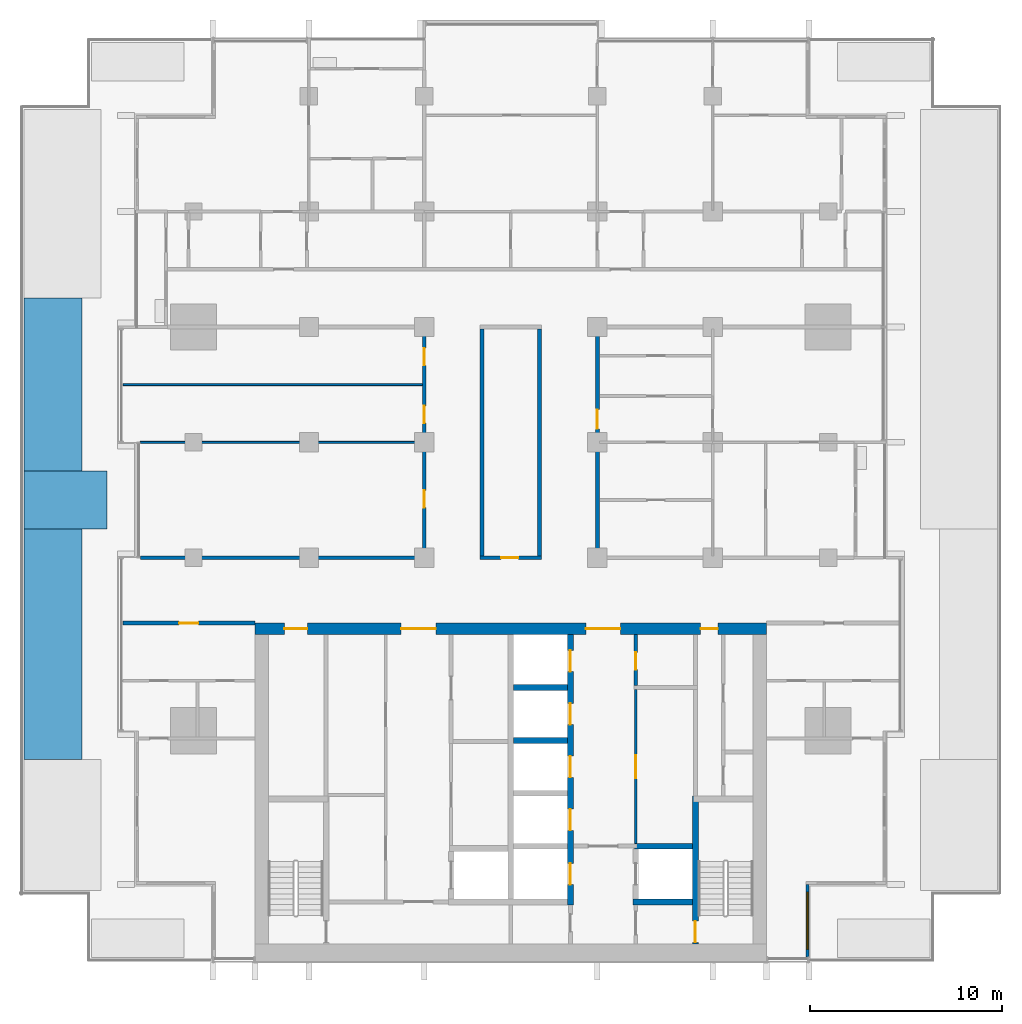
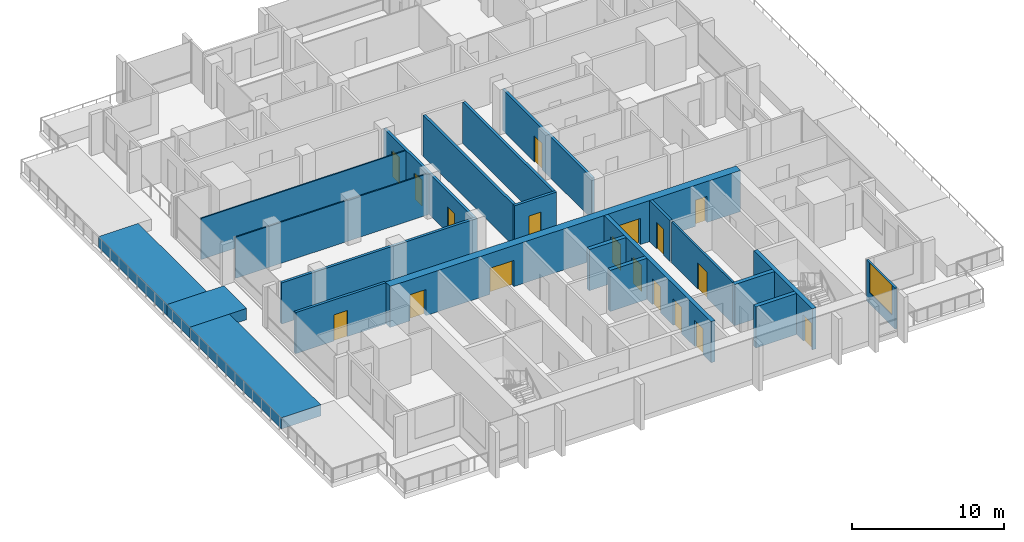
# One storey, part 8 of 18: 22 walls, 18 doors, 1 window, 19 openings.
"""IFC4 building model written with IfcOpenShell, lengths in metres."""

from ifc_helpers import new_model, si_unit, direction, frame, frame_2d, origin, place, context, subcontext, project, spatial, rectangle, extrude, material, layer, layer_set, type_object, element, fill, save


model = new_model("IFC4")

# Units and contexts
model_context = context("Model", 3, precision=1e-05, world=origin(), true_north=direction((0.0, 1.0)))
body_context = subcontext(model_context, "Body", "Model", "MODEL_VIEW")
ifc_project = project(units=[si_unit("LENGTHUNIT", "METRE"), si_unit("AREAUNIT", "SQUARE_METRE"), si_unit("VOLUMEUNIT", "CUBIC_METRE"), si_unit("PLANEANGLEUNIT", "RADIAN"), si_unit("MASSUNIT", "GRAM", prefix="KILO")], contexts=[model_context])

# Site, building, storey
site_placement = place(None, origin())
site = spatial("IfcSite", under=ifc_project, at=site_placement, CompositionType="ELEMENT")
building_placement = place(site_placement, origin())
building = spatial("IfcBuilding", under=site, at=building_placement, Name="Finial Court Residences", CompositionType="ELEMENT")
storey_placement = place(building_placement, frame((0.0, 0.0, 149.300048828125)))
storey = spatial("IfcBuildingStorey", under=building, at=storey_placement, Name="L36", CompositionType="ELEMENT", Elevation=149.300048828125)

# Wall, openings, doors
ifc_material_1 = material(Name="Concrete C70/85", Category="concrete")
ifc_layer_1 = layer(ifc_material_1, 0.60009765625)
ifc_layer_set_1 = layer_set([ifc_layer_1], Name="Core outer wall 600 Concrete C70/85")
wall_type_1 = type_object("IfcWallType", Name="Core outer wall 600 Concrete C70/85", PredefinedType="SHEAR", material=ifc_layer_set_1)
wall_1_placement = place(storey_placement, frame((-13.300048828125, -8.199951171875, 0.0), z_axis=(0.0, 0.0, 1.0), x_axis=(1.0, 0.0, 0.0)))
wall_1 = element("IfcWall", 1, at=wall_1_placement, inside=storey, type_object=wall_type_1, Name="Core outer wall L36-02", PredefinedType="SHEAR", context=body_context, shape_type="SweptSolid", body=[
    extrude(rectangle(XDim=26.60009765625, YDim=0.60009765625, at=frame_2d((13.300048828125, 0.0))), origin(), (0.0, 0.0, 1.0), 3.300048828125),
])
opening_1_placement = place(wall_1_placement, frame((7.60009765625, 0.0, 0.0)))
opening_1 = element("IfcOpeningElement", 2, at=opening_1_placement, cuts=wall_1, Name="Opening L36-C04", PredefinedType="OPENING", context=body_context, shape_type="SweptSolid", body=[
    extrude(rectangle(XDim=1.800048828125, YDim=2.10009765625, at=frame_2d((0.89990234375, 1.050048828125))), frame((0.0, 0.31005859375, 0.0), z_axis=(0.0, -1.0, 0.0), x_axis=(1.0, 0.0, 0.0)), (0.0, 0.0, 1.0), 0.6201171875),
])
opening_2_placement = place(wall_1_placement, frame((17.199951171875, 0.0, 0.0)))
opening_2 = element("IfcOpeningElement", 3, at=opening_2_placement, cuts=wall_1, Name="Opening L36-C05", PredefinedType="OPENING", context=body_context, shape_type="SweptSolid", body=[
    extrude(rectangle(XDim=1.800048828125, YDim=2.10009765625, at=frame_2d((0.89990234375, 1.050048828125))), frame((0.0, 0.31005859375, 0.0), z_axis=(0.0, -1.0, 0.0), x_axis=(1.0, 0.0, 0.0)), (0.0, 0.0, 1.0), 0.6201171875),
])
opening_3_placement = place(wall_1_placement, frame((1.52490234375, 0.0, 0.0)))
opening_3 = element("IfcOpeningElement", 4, at=opening_3_placement, cuts=wall_1, Name="Opening L36-C10", PredefinedType="OPENING", context=body_context, shape_type="SweptSolid", body=[
    extrude(rectangle(XDim=1.199951171875, YDim=2.10009765625, at=frame_2d((0.60009765625, 1.050048828125))), frame((0.0, 0.31005859375, 0.0), z_axis=(0.0, -1.0, 0.0), x_axis=(1.0, 0.0, 0.0)), (0.0, 0.0, 1.0), 0.6201171875),
])
opening_4_placement = place(wall_1_placement, frame((23.175048828125, 0.0, 0.0)))
opening_4 = element("IfcOpeningElement", 5, at=opening_4_placement, cuts=wall_1, Name="Opening L36-C11", PredefinedType="OPENING", context=body_context, shape_type="SweptSolid", body=[
    extrude(rectangle(XDim=0.89990234375, YDim=2.10009765625, at=frame_2d((0.449951171875, 1.050048828125))), frame((0.0, 0.31005859375, 0.0), z_axis=(0.0, -1.0, 0.0), x_axis=(1.0, 0.0, 0.0)), (0.0, 0.0, 1.0), 0.6201171875),
])
ifc_material_2 = material(Name="Steel fire door", Category="steel")
door_type_1 = type_object("IfcDoorType", Name="Lift lobby door 1800 x 2100 EI 60", OperationType="DOUBLE_DOOR_SINGLE_SWING", PredefinedType="DOOR", material=ifc_material_2)
door_1_placement = place(opening_1_placement, origin())
door_1 = element("IfcDoor", 6, at=door_1_placement, inside=storey, type_object=door_type_1, Name="Lift lobby door L36-C04", OperationType="DOUBLE_DOOR_SINGLE_SWING", OverallHeight=2.10009765625, OverallWidth=1.800048828125, PredefinedType="DOOR", context=body_context, shape_type="SweptSolid", body=[
    extrude(rectangle(XDim=1.800048828125, YDim=2.10009765625, at=frame_2d((0.89990234375, 1.050048828125))), frame((0.0, 0.02490234375, 0.0), z_axis=(0.0, -1.0, 0.0), x_axis=(1.0, 0.0, 0.0)), (0.0, 0.0, 1.0), 0.050048828125),
])
fill(opening_1, door_1)
door_2_placement = place(opening_2_placement, origin())
door_2 = element("IfcDoor", 7, at=door_2_placement, inside=storey, type_object=door_type_1, Name="Lift lobby door L36-C05", OperationType="DOUBLE_DOOR_SINGLE_SWING", OverallHeight=2.10009765625, OverallWidth=1.800048828125, PredefinedType="DOOR", context=body_context, shape_type="SweptSolid", body=[
    extrude(rectangle(XDim=1.800048828125, YDim=2.10009765625, at=frame_2d((0.89990234375, 1.050048828125))), frame((0.0, 0.02490234375, 0.0), z_axis=(0.0, -1.0, 0.0), x_axis=(1.0, 0.0, 0.0)), (0.0, 0.0, 1.0), 0.050048828125),
])
fill(opening_2, door_2)
door_type_2 = type_object("IfcDoorType", Name="Riser room door 1200 x 2100 EI 90", OperationType="NOTDEFINED", PredefinedType="DOOR", material=ifc_material_2)
door_3_placement = place(opening_3_placement, origin())
door_3 = element("IfcDoor", 8, at=door_3_placement, inside=storey, type_object=door_type_2, Name="Riser room door L36-C10", OperationType="SINGLE_SWING_LEFT", OverallHeight=2.10009765625, OverallWidth=1.199951171875, PredefinedType="DOOR", context=body_context, shape_type="SweptSolid", body=[
    extrude(rectangle(XDim=1.199951171875, YDim=2.10009765625, at=frame_2d((0.60009765625, 1.050048828125))), frame((0.0, 0.02490234375, 0.0), z_axis=(0.0, -1.0, 0.0), x_axis=(1.0, 0.0, 0.0)), (0.0, 0.0, 1.0), 0.050048828125),
])
fill(opening_3, door_3)
door_type_3 = type_object("IfcDoorType", Name="Riser room door 900 x 2100 EI 90", OperationType="NOTDEFINED", PredefinedType="DOOR", material=ifc_material_2)
door_4_placement = place(opening_4_placement, origin())
door_4 = element("IfcDoor", 9, at=door_4_placement, inside=storey, type_object=door_type_3, Name="Riser room door L36-C11", OperationType="SINGLE_SWING_LEFT", OverallHeight=2.10009765625, OverallWidth=0.89990234375, PredefinedType="DOOR", context=body_context, shape_type="SweptSolid", body=[
    extrude(rectangle(XDim=0.89990234375, YDim=2.10009765625, at=frame_2d((0.449951171875, 1.050048828125))), frame((0.0, 0.02490234375, 0.0), z_axis=(0.0, -1.0, 0.0), x_axis=(1.0, 0.0, 0.0)), (0.0, 0.0, 1.0), 0.050048828125),
])
fill(opening_4, door_4)

# Wall, opening, door
ifc_material_3 = material(Name="Fire-rated gypsum board partition")
ifc_layer_2 = layer(ifc_material_3, 0.14990234375)
ifc_layer_set_2 = layer_set([ifc_layer_2], Name="Core room partition 150 EI 60")
wall_type_2 = type_object("IfcWallType", Name="Core room partition 150 EI 60", PredefinedType="PARTITIONING", material=ifc_layer_set_2)
wall_2_placement = place(storey_placement, frame((6.5, -11.35009765625, 0.0), z_axis=(0.0, 0.0, 1.0), x_axis=(0.0, -1.0, 0.0)))
wall_2 = element("IfcWall", 10, at=wall_2_placement, inside=storey, type_object=wall_type_2, Name="Core partition L36-29", PredefinedType="PARTITIONING", context=body_context, shape_type="SweptSolid", body=[
    extrude(rectangle(XDim=8.0, YDim=0.14990234375, at=frame_2d((4.0, 0.0))), origin(), (0.0, 0.0, 1.0), 3.300048828125),
])
opening_5_placement = place(wall_2_placement, frame((3.425048828125, 0.0, 0.0)))
opening_5 = element("IfcOpeningElement", 11, at=opening_5_placement, cuts=wall_2, Name="Opening L36-C16", PredefinedType="OPENING", context=body_context, shape_type="SweptSolid", body=[
    extrude(rectangle(XDim=1.199951171875, YDim=2.10009765625, at=frame_2d((0.60009765625, 1.050048828125))), frame((0.0, 0.0849609375, 0.0), z_axis=(0.0, -1.0, 0.0), x_axis=(1.0, 0.0, 0.0)), (0.0, 0.0, 1.0), 0.169921875),
])
door_type_4 = type_object("IfcDoorType", Name="Core room door 1200 x 2100 EI 60", OperationType="NOTDEFINED", PredefinedType="DOOR", material=ifc_material_2)
door_5_placement = place(opening_5_placement, origin())
door_5 = element("IfcDoor", 12, at=door_5_placement, inside=storey, type_object=door_type_4, Name="Core room door L36-C16", OperationType="SINGLE_SWING_RIGHT", OverallHeight=2.10009765625, OverallWidth=1.199951171875, PredefinedType="DOOR", context=body_context, shape_type="SweptSolid", body=[
    extrude(rectangle(XDim=1.199951171875, YDim=2.10009765625, at=frame_2d((0.60009765625, 1.050048828125))), frame((0.0, 0.02490234375, 0.0), z_axis=(0.0, -1.0, 0.0), x_axis=(1.0, 0.0, 0.0)), (0.0, 0.0, 1.0), 0.050048828125),
])
fill(opening_5, door_5)

ifc_material_4 = material(Name="Gypsum board")
ifc_layer_3 = layer(ifc_material_4, 0.02490234375)
ifc_material_5 = material(Name="Acoustic mineral wool in double frame")
ifc_layer_4 = layer(ifc_material_5, 0.14990234375)
ifc_layer_5 = layer(ifc_material_4, 0.02490234375)
ifc_layer_set_3 = layer_set([ifc_layer_3, ifc_layer_4, ifc_layer_5], Name="Corridor wall 200, 1 hour")
wall_type_3 = type_object("IfcWallType", Name="Corridor wall 200, 1 hour", PredefinedType="PARTITIONING", material=ifc_layer_set_3)
wall_3_placement = place(storey_placement, frame((-20.16259765625, -7.89990234375, 0.0), z_axis=(0.0, 0.0, 1.0), x_axis=(1.0, 0.0, 0.0)))
wall_3 = element("IfcWall", 13, at=wall_3_placement, inside=storey, type_object=wall_type_3, Name="Partition L36-004", PredefinedType="PARTITIONING", context=body_context, shape_type="SweptSolid", body=[
    extrude(rectangle(XDim=6.862548828125, YDim=0.199951171875, at=frame_2d((3.43115234375, 0.0))), origin(), (0.0, 0.0, 1.0), 3.300048828125),
])
opening_6_placement = place(wall_3_placement, frame((2.9130859375, 0.0, 0.0)))
opening_6 = element("IfcOpeningElement", 14, at=opening_6_placement, cuts=wall_3, Name="Opening L36-D007", PredefinedType="OPENING", context=body_context, shape_type="SweptSolid", body=[
    extrude(rectangle(XDim=1.0, YDim=2.10009765625, at=frame_2d((0.5, 1.050048828125))), frame((0.0, 0.10986328125, 0.0), z_axis=(0.0, -1.0, 0.0), x_axis=(1.0, 0.0, 0.0)), (0.0, 0.0, 1.0), 0.219970703125),
])
ifc_material_6 = material(Name="Timber door leaf in hollow metal frame", Category="wood")
door_type_5 = type_object("IfcDoorType", Name="Fire door set 1000 x 2100, 30 minutes", OperationType="SINGLE_SWING_LEFT", PredefinedType="DOOR", material=ifc_material_6)
door_6_placement = place(opening_6_placement, origin())
door_6 = element("IfcDoor", 15, at=door_6_placement, inside=storey, type_object=door_type_5, Name="Door L36-D007", OperationType="SINGLE_SWING_LEFT", OverallHeight=2.10009765625, OverallWidth=1.0, PredefinedType="DOOR", context=body_context, shape_type="SweptSolid", body=[
    extrude(rectangle(XDim=1.0, YDim=2.10009765625, at=frame_2d((0.5, 1.050048828125))), frame((0.0, 0.02490234375, 0.0), z_axis=(0.0, -1.0, 0.0), x_axis=(1.0, 0.0, 0.0)), (0.0, 0.0, 1.0), 0.050048828125),
])
fill(opening_6, door_6)

# Wall
wall_4_placement = place(storey_placement, frame((-19.262451171875, -4.5, 0.0), z_axis=(0.0, 0.0, 1.0), x_axis=(1.0, 0.0, 0.0)))
element("IfcWall", 16, at=wall_4_placement, inside=storey, type_object=wall_type_3, Name="Partition L36-006", PredefinedType="PARTITIONING", context=body_context, shape_type="SweptSolid", body=[
    extrude(rectangle(XDim=14.862548828125, YDim=0.199951171875, at=frame_2d((7.43115234375, 0.0))), origin(), (0.0, 0.0, 1.0), 3.300048828125),
])

# Wall, opening, door
wall_5_placement = place(storey_placement, frame((-1.60009765625, -4.5, 0.0), z_axis=(0.0, 0.0, 1.0), x_axis=(1.0, 0.0, 0.0)))
wall_5 = element("IfcWall", 17, at=wall_5_placement, inside=storey, type_object=wall_type_3, Name="Partition L36-007", PredefinedType="PARTITIONING", context=body_context, shape_type="SweptSolid", body=[
    extrude(rectangle(XDim=3.2001953125, YDim=0.199951171875, at=frame_2d((1.60009765625, 0.0))), origin(), (0.0, 0.0, 1.0), 3.300048828125),
])
opening_7_placement = place(wall_5_placement, frame((1.10009765625, 0.0, 0.0)))
opening_7 = element("IfcOpeningElement", 18, at=opening_7_placement, cuts=wall_5, Name="Opening L36-D009", PredefinedType="OPENING", context=body_context, shape_type="SweptSolid", body=[
    extrude(rectangle(XDim=0.89990234375, YDim=2.10009765625, at=frame_2d((0.449951171875, 1.050048828125))), frame((0.0, 0.10986328125, 0.0), z_axis=(0.0, -1.0, 0.0), x_axis=(1.0, 0.0, 0.0)), (0.0, 0.0, 1.0), 0.219970703125),
])
door_type_6 = type_object("IfcDoorType", Name="Fire door set 900 x 2100, 30 minutes", OperationType="SINGLE_SWING_LEFT", PredefinedType="DOOR", material=ifc_material_6)
door_7_placement = place(opening_7_placement, origin())
door_7 = element("IfcDoor", 19, at=door_7_placement, inside=storey, type_object=door_type_6, Name="Door L36-D009", OperationType="SINGLE_SWING_LEFT", OverallHeight=2.10009765625, OverallWidth=0.89990234375, PredefinedType="DOOR", context=body_context, shape_type="SweptSolid", body=[
    extrude(rectangle(XDim=0.89990234375, YDim=2.10009765625, at=frame_2d((0.449951171875, 1.050048828125))), frame((0.0, 0.02490234375, 0.0), z_axis=(0.0, -1.0, 0.0), x_axis=(1.0, 0.0, 0.0)), (0.0, 0.0, 1.0), 0.050048828125),
])
fill(opening_7, door_7)

# Wall, openings, doors
wall_6_placement = place(storey_placement, frame((-4.5, -4.39990234375, 0.0), z_axis=(0.0, 0.0, 1.0), x_axis=(0.0, 1.0, 0.0)))
wall_6 = element("IfcWall", 20, at=wall_6_placement, inside=storey, type_object=wall_type_3, Name="Partition L36-039", PredefinedType="PARTITIONING", context=body_context, shape_type="SweptSolid", body=[
    extrude(rectangle(XDim=11.7998046875, YDim=0.199951171875, at=frame_2d((5.89990234375, 0.0))), origin(), (0.0, 0.0, 1.0), 3.300048828125),
])
opening_8_placement = place(wall_6_placement, frame((2.5, 0.0, 0.0)))
opening_8 = element("IfcOpeningElement", 21, at=opening_8_placement, cuts=wall_6, Name="Opening L36-D027", PredefinedType="OPENING", context=body_context, shape_type="SweptSolid", body=[
    extrude(rectangle(XDim=0.89990234375, YDim=2.10009765625, at=frame_2d((0.449951171875, 1.050048828125))), frame((0.0, 0.10986328125, 0.0), z_axis=(0.0, -1.0, 0.0), x_axis=(1.0, 0.0, 0.0)), (0.0, 0.0, 1.0), 0.219970703125),
])
opening_9_placement = place(wall_6_placement, frame((6.89990234375, 0.0, 0.0)))
opening_9 = element("IfcOpeningElement", 22, at=opening_9_placement, cuts=wall_6, Name="Opening L36-D028", PredefinedType="OPENING", context=body_context, shape_type="SweptSolid", body=[
    extrude(rectangle(XDim=0.89990234375, YDim=2.10009765625, at=frame_2d((0.449951171875, 1.050048828125))), frame((0.0, 0.10986328125, 0.0), z_axis=(0.0, -1.0, 0.0), x_axis=(1.0, 0.0, 0.0)), (0.0, 0.0, 1.0), 0.219970703125),
])
opening_10_placement = place(wall_6_placement, frame((9.89990234375, 0.0, 0.0)))
opening_10 = element("IfcOpeningElement", 23, at=opening_10_placement, cuts=wall_6, Name="Opening L36-D029", PredefinedType="OPENING", context=body_context, shape_type="SweptSolid", body=[
    extrude(rectangle(XDim=0.89990234375, YDim=2.10009765625, at=frame_2d((0.449951171875, 1.050048828125))), frame((0.0, 0.10986328125, 0.0), z_axis=(0.0, -1.0, 0.0), x_axis=(1.0, 0.0, 0.0)), (0.0, 0.0, 1.0), 0.219970703125),
])
door_8_placement = place(opening_8_placement, origin())
door_8 = element("IfcDoor", 24, at=door_8_placement, inside=storey, type_object=door_type_6, Name="Door L36-D027", OperationType="SINGLE_SWING_RIGHT", OverallHeight=2.10009765625, OverallWidth=0.89990234375, PredefinedType="DOOR", context=body_context, shape_type="SweptSolid", body=[
    extrude(rectangle(XDim=0.89990234375, YDim=2.10009765625, at=frame_2d((0.449951171875, 1.050048828125))), frame((0.0, 0.02490234375, 0.0), z_axis=(0.0, -1.0, 0.0), x_axis=(1.0, 0.0, 0.0)), (0.0, 0.0, 1.0), 0.050048828125),
])
fill(opening_8, door_8)
door_9_placement = place(opening_9_placement, origin())
door_9 = element("IfcDoor", 25, at=door_9_placement, inside=storey, type_object=door_type_6, Name="Door L36-D028", OperationType="SINGLE_SWING_LEFT", OverallHeight=2.10009765625, OverallWidth=0.89990234375, PredefinedType="DOOR", context=body_context, shape_type="SweptSolid", body=[
    extrude(rectangle(XDim=0.89990234375, YDim=2.10009765625, at=frame_2d((0.449951171875, 1.050048828125))), frame((0.0, 0.02490234375, 0.0), z_axis=(0.0, -1.0, 0.0), x_axis=(1.0, 0.0, 0.0)), (0.0, 0.0, 1.0), 0.050048828125),
])
fill(opening_9, door_9)
door_10_placement = place(opening_10_placement, origin())
door_10 = element("IfcDoor", 26, at=door_10_placement, inside=storey, type_object=door_type_6, Name="Door L36-D029", OperationType="SINGLE_SWING_LEFT", OverallHeight=2.10009765625, OverallWidth=0.89990234375, PredefinedType="DOOR", context=body_context, shape_type="SweptSolid", body=[
    extrude(rectangle(XDim=0.89990234375, YDim=2.10009765625, at=frame_2d((0.449951171875, 1.050048828125))), frame((0.0, 0.02490234375, 0.0), z_axis=(0.0, -1.0, 0.0), x_axis=(1.0, 0.0, 0.0)), (0.0, 0.0, 1.0), 0.050048828125),
])
fill(opening_10, door_10)

# Walls
for number, where, z_axis, x_axis, name in (
    (27, (-1.5, -4.39990234375, 0.0), (0.0, 0.0, 1.0), (0.0, 1.0, 0.0), "Partition L36-042"),
    (28, (1.5, -4.39990234375, 0.0), (0.0, 0.0, 1.0), (0.0, 1.0, 0.0), "Partition L36-044"),
):
    element("IfcWall", number, at=place(storey_placement, frame(where, z_axis=z_axis, x_axis=x_axis)), inside=storey, type_object=wall_type_3, Name=name, PredefinedType="PARTITIONING", context=body_context, shape_type="SweptSolid", body=[
        extrude(rectangle(XDim=11.7998046875, YDim=0.199951171875, at=frame_2d((5.89990234375, 0.0))), origin(), (0.0, 0.0, 1.0), 3.300048828125),
    ])

# Wall, opening, door
wall_7_placement = place(storey_placement, frame((4.5, -4.39990234375, 0.0), z_axis=(0.0, 0.0, 1.0), x_axis=(0.0, 1.0, 0.0)))
wall_7 = element("IfcWall", 29, at=wall_7_placement, inside=storey, type_object=wall_type_3, Name="Partition L36-045", PredefinedType="PARTITIONING", context=body_context, shape_type="SweptSolid", body=[
    extrude(rectangle(XDim=11.7998046875, YDim=0.199951171875, at=frame_2d((5.89990234375, 0.0))), origin(), (0.0, 0.0, 1.0), 3.300048828125),
])
opening_11_placement = place(wall_7_placement, frame((6.60009765625, 0.0, 0.0)))
opening_11 = element("IfcOpeningElement", 30, at=opening_11_placement, cuts=wall_7, Name="Opening L36-D031", PredefinedType="OPENING", context=body_context, shape_type="SweptSolid", body=[
    extrude(rectangle(XDim=1.0, YDim=2.10009765625, at=frame_2d((0.5, 1.050048828125))), frame((0.0, 0.10986328125, 0.0), z_axis=(0.0, -1.0, 0.0), x_axis=(1.0, 0.0, 0.0)), (0.0, 0.0, 1.0), 0.219970703125),
])
door_11_placement = place(opening_11_placement, origin())
door_11 = element("IfcDoor", 31, at=door_11_placement, inside=storey, type_object=door_type_5, Name="Door L36-D031", OperationType="SINGLE_SWING_RIGHT", OverallHeight=2.10009765625, OverallWidth=1.0, PredefinedType="DOOR", context=body_context, shape_type="SweptSolid", body=[
    extrude(rectangle(XDim=1.0, YDim=2.10009765625, at=frame_2d((0.5, 1.050048828125))), frame((0.0, 0.02490234375, 0.0), z_axis=(0.0, -1.0, 0.0), x_axis=(1.0, 0.0, 0.0)), (0.0, 0.0, 1.0), 0.050048828125),
])
fill(opening_11, door_11)

# Walls
ifc_layer_6 = layer(ifc_material_4, 0.012451171875)
ifc_material_7 = material(Name="Mineral wool in light-gauge frame")
ifc_layer_7 = layer(ifc_material_7, 0.074951171875)
ifc_layer_8 = layer(ifc_material_4, 0.012451171875)
ifc_layer_set_4 = layer_set([ifc_layer_6, ifc_layer_7, ifc_layer_8], Name="Gypsum board partition 100")
wall_type_4 = type_object("IfcWallType", Name="Gypsum board partition 100", PredefinedType="PARTITIONING", material=ifc_layer_set_4)
wall_8_placement = place(storey_placement, frame((-19.262451171875, 1.5, 0.0), z_axis=(0.0, 0.0, 1.0), x_axis=(1.0, 0.0, 0.0)))
element("IfcWall", 32, at=wall_8_placement, inside=storey, type_object=wall_type_4, Name="Partition L36-010", PredefinedType="PARTITIONING", context=body_context, shape_type="SweptSolid", body=[
    extrude(rectangle(XDim=14.662353515625, YDim=0.10009765625, at=frame_2d((7.3310546875, 0.0))), origin(), (0.0, 0.0, 1.0), 3.300048828125),
])
wall_9_placement = place(storey_placement, frame((-20.16259765625, 4.5, 0.0), z_axis=(0.0, 0.0, 1.0), x_axis=(1.0, 0.0, 0.0)))
element("IfcWall", 33, at=wall_9_placement, inside=storey, type_object=wall_type_4, Name="Partition L36-014", PredefinedType="PARTITIONING", context=body_context, shape_type="SweptSolid", body=[
    extrude(rectangle(XDim=15.5625, YDim=0.10009765625, at=frame_2d((7.78125, 0.0))), origin(), (0.0, 0.0, 1.0), 3.300048828125),
])
ifc_layer_9 = layer(ifc_material_1, 0.300048828125)
ifc_layer_set_5 = layer_set([ifc_layer_9], Name="Lift shaft and stair wall 300 Concrete C70/85")
wall_type_5 = type_object("IfcWallType", Name="Lift shaft and stair wall 300 Concrete C70/85", PredefinedType="SHEAR", material=ifc_layer_set_5)
wall_10_placement = place(storey_placement, frame((6.35009765625, -22.39990234375, 0.0), z_axis=(0.0, 0.0, 1.0), x_axis=(1.0, 0.0, 0.0)))
element("IfcWall", 34, at=wall_10_placement, inside=storey, type_object=wall_type_5, Name="Core wall L36-03", PredefinedType="SHEAR", context=body_context, shape_type="SweptSolid", body=[
    extrude(rectangle(XDim=3.099853515625, YDim=0.300048828125, at=frame_2d((1.5498046875, 0.0))), origin(), (0.0, 0.0, 1.0), 3.300048828125),
])
wall_11_placement = place(storey_placement, frame((6.425048828125, -19.5, 0.0), z_axis=(0.0, 0.0, 1.0), x_axis=(1.0, 0.0, 0.0)))
element("IfcWall", 35, at=wall_11_placement, inside=storey, type_object=wall_type_5, Name="Core wall L36-07", PredefinedType="SHEAR", context=body_context, shape_type="SweptSolid", body=[
    extrude(rectangle(XDim=3.02490234375, YDim=0.300048828125, at=frame_2d((1.512451171875, 0.0))), origin(), (0.0, 0.0, 1.0), 3.300048828125),
])
for number, where, z_axis, x_axis, name in (
    (36, (0.14990234375, -14.0, 0.0), (0.0, 0.0, 1.0), (1.0, 0.0, 0.0), "Core wall L36-14"),
    (37, (0.14990234375, -11.25, 0.0), (0.0, 0.0, 1.0), (1.0, 0.0, 0.0), "Core wall L36-15"),
):
    element("IfcWall", number, at=place(storey_placement, frame(where, z_axis=z_axis, x_axis=x_axis)), inside=storey, type_object=wall_type_5, Name=name, PredefinedType="SHEAR", context=body_context, shape_type="SweptSolid", body=[
        extrude(rectangle(XDim=2.800048828125, YDim=0.300048828125, at=frame_2d((1.39990234375, 0.0))), origin(), (0.0, 0.0, 1.0), 3.300048828125),
    ])

# Wall, openings, doors
wall_12_placement = place(storey_placement, frame((3.10009765625, -22.550048828125, 0.0), z_axis=(0.0, 0.0, 1.0), x_axis=(0.0, 1.0, 0.0)))
wall_12 = element("IfcWall", 38, at=wall_12_placement, inside=storey, type_object=wall_type_5, Name="Core wall L36-26", PredefinedType="SHEAR", context=body_context, shape_type="SweptSolid", body=[
    extrude(rectangle(XDim=14.050048828125, YDim=0.300048828125, at=frame_2d((7.02490234375, 0.0))), origin(), (0.0, 0.0, 1.0), 3.300048828125),
])
opening_12_placement = place(wall_12_placement, frame((1.050048828125, 0.0, 0.0)))
opening_12 = element("IfcOpeningElement", 39, at=opening_12_placement, cuts=wall_12, Name="Opening L36-LD01", PredefinedType="OPENING", context=body_context, shape_type="SweptSolid", body=[
    extrude(rectangle(XDim=1.10009765625, YDim=2.10009765625, at=frame_2d((0.550048828125, 1.050048828125))), frame((0.0, 0.159912109375, 0.0), z_axis=(0.0, -1.0, 0.0), x_axis=(1.0, 0.0, 0.0)), (0.0, 0.0, 1.0), 0.320068359375),
])
opening_13_placement = place(wall_12_placement, frame((3.875, 0.0, 0.0)))
opening_13 = element("IfcOpeningElement", 40, at=opening_13_placement, cuts=wall_12, Name="Opening L36-LD03", PredefinedType="OPENING", context=body_context, shape_type="SweptSolid", body=[
    extrude(rectangle(XDim=1.10009765625, YDim=2.10009765625, at=frame_2d((0.550048828125, 1.050048828125))), frame((0.0, 0.159912109375, 0.0), z_axis=(0.0, -1.0, 0.0), x_axis=(1.0, 0.0, 0.0)), (0.0, 0.0, 1.0), 0.320068359375),
])
opening_14_placement = place(wall_12_placement, frame((6.625, 0.0, 0.0)))
opening_14 = element("IfcOpeningElement", 41, at=opening_14_placement, cuts=wall_12, Name="Opening L36-LD04", PredefinedType="OPENING", context=body_context, shape_type="SweptSolid", body=[
    extrude(rectangle(XDim=1.10009765625, YDim=2.10009765625, at=frame_2d((0.550048828125, 1.050048828125))), frame((0.0, 0.159912109375, 0.0), z_axis=(0.0, -1.0, 0.0), x_axis=(1.0, 0.0, 0.0)), (0.0, 0.0, 1.0), 0.320068359375),
])
opening_15_placement = place(wall_12_placement, frame((9.375, 0.0, 0.0)))
opening_15 = element("IfcOpeningElement", 42, at=opening_15_placement, cuts=wall_12, Name="Opening L36-LD05", PredefinedType="OPENING", context=body_context, shape_type="SweptSolid", body=[
    extrude(rectangle(XDim=1.10009765625, YDim=2.10009765625, at=frame_2d((0.550048828125, 1.050048828125))), frame((0.0, 0.159912109375, 0.0), z_axis=(0.0, -1.0, 0.0), x_axis=(1.0, 0.0, 0.0)), (0.0, 0.0, 1.0), 0.320068359375),
])
opening_16_placement = place(wall_12_placement, frame((12.125, 0.0, 0.0)))
opening_16 = element("IfcOpeningElement", 43, at=opening_16_placement, cuts=wall_12, Name="Opening L36-LD06", PredefinedType="OPENING", context=body_context, shape_type="SweptSolid", body=[
    extrude(rectangle(XDim=1.10009765625, YDim=2.10009765625, at=frame_2d((0.550048828125, 1.050048828125))), frame((0.0, 0.159912109375, 0.0), z_axis=(0.0, -1.0, 0.0), x_axis=(1.0, 0.0, 0.0)), (0.0, 0.0, 1.0), 0.320068359375),
])
ifc_material_8 = material(Name="Stainless steel lift door", Category="steel")
door_type_7 = type_object("IfcDoorType", Name="Lift landing door 1100 x 2100 EI 90", OperationType="DOUBLE_DOOR_SLIDING", PredefinedType="DOOR", material=ifc_material_8)
door_12_placement = place(opening_12_placement, origin())
door_12 = element("IfcDoor", 44, at=door_12_placement, inside=storey, type_object=door_type_7, Name="Lift landing door FF1 L36", OperationType="DOUBLE_DOOR_SLIDING", OverallHeight=2.10009765625, OverallWidth=1.10009765625, PredefinedType="DOOR", context=body_context, shape_type="SweptSolid", body=[
    extrude(rectangle(XDim=1.10009765625, YDim=2.10009765625, at=frame_2d((0.550048828125, 1.050048828125))), frame((0.0, 0.02490234375, 0.0), z_axis=(0.0, -1.0, 0.0), x_axis=(1.0, 0.0, 0.0)), (0.0, 0.0, 1.0), 0.050048828125),
])
fill(opening_12, door_12)
door_13_placement = place(opening_13_placement, origin())
door_13 = element("IfcDoor", 45, at=door_13_placement, inside=storey, type_object=door_type_7, Name="Lift landing door HR1 L36", OperationType="DOUBLE_DOOR_SLIDING", OverallHeight=2.10009765625, OverallWidth=1.10009765625, PredefinedType="DOOR", context=body_context, shape_type="SweptSolid", body=[
    extrude(rectangle(XDim=1.10009765625, YDim=2.10009765625, at=frame_2d((0.550048828125, 1.050048828125))), frame((0.0, 0.02490234375, 0.0), z_axis=(0.0, -1.0, 0.0), x_axis=(1.0, 0.0, 0.0)), (0.0, 0.0, 1.0), 0.050048828125),
])
fill(opening_13, door_13)
door_14_placement = place(opening_14_placement, origin())
door_14 = element("IfcDoor", 46, at=door_14_placement, inside=storey, type_object=door_type_7, Name="Lift landing door HR2 L36", OperationType="DOUBLE_DOOR_SLIDING", OverallHeight=2.10009765625, OverallWidth=1.10009765625, PredefinedType="DOOR", context=body_context, shape_type="SweptSolid", body=[
    extrude(rectangle(XDim=1.10009765625, YDim=2.10009765625, at=frame_2d((0.550048828125, 1.050048828125))), frame((0.0, 0.02490234375, 0.0), z_axis=(0.0, -1.0, 0.0), x_axis=(1.0, 0.0, 0.0)), (0.0, 0.0, 1.0), 0.050048828125),
])
fill(opening_14, door_14)
door_15_placement = place(opening_15_placement, origin())
door_15 = element("IfcDoor", 47, at=door_15_placement, inside=storey, type_object=door_type_7, Name="Lift landing door HR3 L36", OperationType="DOUBLE_DOOR_SLIDING", OverallHeight=2.10009765625, OverallWidth=1.10009765625, PredefinedType="DOOR", context=body_context, shape_type="SweptSolid", body=[
    extrude(rectangle(XDim=1.10009765625, YDim=2.10009765625, at=frame_2d((0.550048828125, 1.050048828125))), frame((0.0, 0.02490234375, 0.0), z_axis=(0.0, -1.0, 0.0), x_axis=(1.0, 0.0, 0.0)), (0.0, 0.0, 1.0), 0.050048828125),
])
fill(opening_15, door_15)
door_16_placement = place(opening_16_placement, origin())
door_16 = element("IfcDoor", 48, at=door_16_placement, inside=storey, type_object=door_type_7, Name="Lift landing door HR4 L36", OperationType="DOUBLE_DOOR_SLIDING", OverallHeight=2.10009765625, OverallWidth=1.10009765625, PredefinedType="DOOR", context=body_context, shape_type="SweptSolid", body=[
    extrude(rectangle(XDim=1.10009765625, YDim=2.10009765625, at=frame_2d((0.550048828125, 1.050048828125))), frame((0.0, 0.02490234375, 0.0), z_axis=(0.0, -1.0, 0.0), x_axis=(1.0, 0.0, 0.0)), (0.0, 0.0, 1.0), 0.050048828125),
])
fill(opening_16, door_16)

# Wall, opening, door
wall_13_placement = place(storey_placement, frame((9.60009765625, -16.89990234375, 0.0), z_axis=(0.0, 0.0, 1.0), x_axis=(0.0, -1.0, 0.0)))
wall_13 = element("IfcWall", 49, at=wall_13_placement, inside=storey, type_object=wall_type_5, Name="Core wall L36-31", PredefinedType="SHEAR", context=body_context, shape_type="SweptSolid", body=[
    extrude(rectangle(XDim=7.7001953125, YDim=0.300048828125, at=frame_2d((3.85009765625, 0.0))), origin(), (0.0, 0.0, 1.0), 3.300048828125),
])
opening_17_placement = place(wall_13_placement, frame((6.5, 0.0, 0.0)))
opening_17 = element("IfcOpeningElement", 50, at=opening_17_placement, cuts=wall_13, Name="Opening L36-C18", PredefinedType="OPENING", context=body_context, shape_type="SweptSolid", body=[
    extrude(rectangle(XDim=1.10009765625, YDim=2.10009765625, at=frame_2d((0.550048828125, 1.050048828125))), frame((0.0, 0.159912109375, 0.0), z_axis=(0.0, -1.0, 0.0), x_axis=(1.0, 0.0, 0.0)), (0.0, 0.0, 1.0), 0.320068359375),
])
door_type_8 = type_object("IfcDoorType", Name="Stair door 1100 x 2100 EI 90", OperationType="NOTDEFINED", PredefinedType="DOOR", material=ifc_material_2)
door_17_placement = place(opening_17_placement, origin())
door_17 = element("IfcDoor", 51, at=door_17_placement, inside=storey, type_object=door_type_8, Name="Stair door L36-C18", OperationType="SINGLE_SWING_RIGHT", OverallHeight=2.10009765625, OverallWidth=1.10009765625, PredefinedType="DOOR", context=body_context, shape_type="SweptSolid", body=[
    extrude(rectangle(XDim=1.10009765625, YDim=2.10009765625, at=frame_2d((0.550048828125, 1.050048828125))), frame((0.0, 0.02490234375, 0.0), z_axis=(0.0, -1.0, 0.0), x_axis=(1.0, 0.0, 0.0)), (0.0, 0.0, 1.0), 0.050048828125),
])
fill(opening_17, door_17)

# Wall, opening, window
ifc_material_9 = material(Name="Natural limestone", Category="masonry")
ifc_layer_10 = layer(ifc_material_9, 0.14990234375)
ifc_layer_set_6 = layer_set([ifc_layer_10], Name="Limestone clad wall 150")
wall_type_6 = type_object("IfcWallType", Name="Limestone clad wall 150", PredefinedType="SOLIDWALL", material=ifc_layer_set_6)
wall_14_placement = place(storey_placement, frame((15.425048828125, -21.5, 0.0), z_axis=(0.0, 0.0, 1.0), x_axis=(0.0, -1.0, 0.0)))
wall_14 = element("IfcWall", 52, at=wall_14_placement, inside=storey, type_object=wall_type_6, Name="E-L36-NWE13", PredefinedType="SOLIDWALL", context=body_context, shape_type="SweptSolid", body=[
    extrude(rectangle(XDim=3.762451171875, YDim=0.14990234375, at=frame_2d((1.88134765625, 0.0))), origin(), (0.0, 0.0, 1.0), 3.300048828125),
])
opening_18_placement = place(wall_14_placement, frame((0.4013671875, 0.0, 0.89990234375)))
opening_18 = element("IfcOpeningElement", 53, at=opening_18_placement, cuts=wall_14, Name="Opening WE36-03", PredefinedType="OPENING", context=body_context, shape_type="SweptSolid", body=[
    extrude(rectangle(XDim=2.9599609375, YDim=2.39990234375, at=frame_2d((1.47998046875, 1.199951171875))), frame((0.0, 0.0849609375, 0.0), z_axis=(0.0, -1.0, 0.0), x_axis=(1.0, 0.0, 0.0)), (0.0, 0.0, 1.0), 0.169921875),
])
ifc_material_10 = material(Name="Clear low-e glass", Category="glass")
window_type = type_object("IfcWindowType", Name="Corner window 2960 x 2400", PartitioningType="SINGLE_PANEL", PredefinedType="WINDOW", material=ifc_material_10)
window_placement = place(opening_18_placement, origin())
window = element("IfcWindow", 54, at=window_placement, inside=storey, type_object=window_type, Name="E-L36-NWE13-W1", OverallHeight=2.39990234375, OverallWidth=2.9599609375, PartitioningType="SINGLE_PANEL", PredefinedType="WINDOW", context=body_context, shape_type="SweptSolid", body=[
    extrude(rectangle(XDim=2.9599609375, YDim=2.39990234375, at=frame_2d((1.47998046875, 1.199951171875))), frame((0.0, 0.030029296875, 0.0), z_axis=(0.0, -1.0, 0.0), x_axis=(1.0, 0.0, 0.0)), (0.0, 0.0, 1.0), 0.06005859375),
])
fill(opening_18, window)

# Walls
ifc_material_11 = material(Name="Concrete C40/50", Category="concrete")
ifc_layer_11 = layer(ifc_material_11, 0.199951171875)
ifc_material_12 = material(Name="Planting soil", Category="soil")
ifc_layer_12 = layer(ifc_material_12, 2.60009765625)
ifc_layer_13 = layer(ifc_material_11, 0.199951171875)
ifc_layer_set_7 = layer_set([ifc_layer_11, ifc_layer_12, ifc_layer_13], Name="Planter wall, terrace 3000")
wall_type_7 = type_object("IfcWallType", Name="Planter wall, terrace 3000", PredefinedType="USERDEFINED", material=ifc_layer_set_7)
wall_15_placement = place(storey_placement, frame((-23.800048828125, -15.0, 0.0), z_axis=(0.0, 0.0, 1.0), x_axis=(0.0, 1.0, 0.0)))
element("IfcWall", 55, at=wall_15_placement, inside=storey, type_object=wall_type_7, Name="E-L36-TER2-PL1", ObjectType="PLANTER", PredefinedType="USERDEFINED", context=body_context, shape_type="SweptSolid", body=[
    extrude(rectangle(XDim=12.0, YDim=3.0, at=frame_2d((6.0, 0.0))), origin(), (0.0, 0.0, 1.0), 0.89990234375),
])
wall_16_placement = place(storey_placement, frame((-23.800048828125, 0.0, 0.0), z_axis=(0.0, 0.0, 1.0), x_axis=(0.0, 1.0, 0.0)))
element("IfcWall", 56, at=wall_16_placement, inside=storey, type_object=wall_type_7, Name="E-L36-TER2-PL2", ObjectType="PLANTER", PredefinedType="USERDEFINED", context=body_context, shape_type="SweptSolid", body=[
    extrude(rectangle(XDim=9.0, YDim=3.0, at=frame_2d((4.5, 0.0))), origin(), (0.0, 0.0, 1.0), 0.89990234375),
])
wall_17_placement = place(storey_placement, frame((-25.300048828125, -1.5, 0.0), z_axis=(0.0, 0.0, 1.0), x_axis=(1.0, 0.0, 0.0)))
element("IfcWall", 57, at=wall_17_placement, inside=storey, type_object=wall_type_7, Name="E-L36-TER2-PL4", ObjectType="PLANTER", PredefinedType="USERDEFINED", context=body_context, shape_type="SweptSolid", body=[
    extrude(rectangle(XDim=4.300048828125, YDim=3.0, at=frame_2d((2.14990234375, 0.0))), origin(), (0.0, 0.0, 1.0), 0.89990234375),
])

# Wall, opening, door
ifc_layer_14 = layer(ifc_material_3, 0.199951171875)
ifc_layer_set_8 = layer_set([ifc_layer_14], Name="Riser room wall 200 EI 120")
wall_type_8 = type_object("IfcWallType", Name="Riser room wall 200 EI 120", PredefinedType="PARTITIONING", material=ifc_layer_set_8)
wall_18_placement = place(storey_placement, frame((6.5, -8.5, 0.0), z_axis=(0.0, 0.0, 1.0), x_axis=(0.0, -1.0, 0.0)))
wall_18 = element("IfcWall", 58, at=wall_18_placement, inside=storey, type_object=wall_type_8, Name="Core partition L36-30", PredefinedType="PARTITIONING", context=body_context, shape_type="SweptSolid", body=[
    extrude(rectangle(XDim=2.64990234375, YDim=0.199951171875, at=frame_2d((1.324951171875, 0.0))), origin(), (0.0, 0.0, 1.0), 3.300048828125),
])
opening_19_placement = place(wall_18_placement, frame((0.925048828125, 0.0, 0.0)))
opening_19 = element("IfcOpeningElement", 59, at=opening_19_placement, cuts=wall_18, Name="Opening L36-C09", PredefinedType="OPENING", context=body_context, shape_type="SweptSolid", body=[
    extrude(rectangle(XDim=0.89990234375, YDim=2.10009765625, at=frame_2d((0.449951171875, 1.050048828125))), frame((0.0, 0.10986328125, 0.0), z_axis=(0.0, -1.0, 0.0), x_axis=(1.0, 0.0, 0.0)), (0.0, 0.0, 1.0), 0.219970703125),
])
door_18_placement = place(opening_19_placement, origin())
door_18 = element("IfcDoor", 60, at=door_18_placement, inside=storey, type_object=door_type_3, Name="Riser room door L36-C09", OperationType="SINGLE_SWING_RIGHT", OverallHeight=2.10009765625, OverallWidth=0.89990234375, PredefinedType="DOOR", context=body_context, shape_type="SweptSolid", body=[
    extrude(rectangle(XDim=0.89990234375, YDim=2.10009765625, at=frame_2d((0.449951171875, 1.050048828125))), frame((0.0, 0.02490234375, 0.0), z_axis=(0.0, -1.0, 0.0), x_axis=(1.0, 0.0, 0.0)), (0.0, 0.0, 1.0), 0.050048828125),
])
fill(opening_19, door_18)

save(model, "model.ifc")
